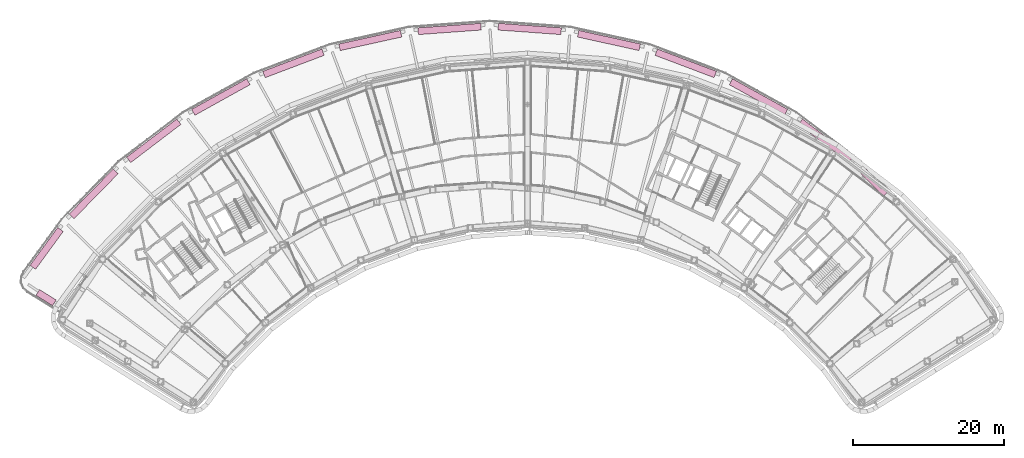
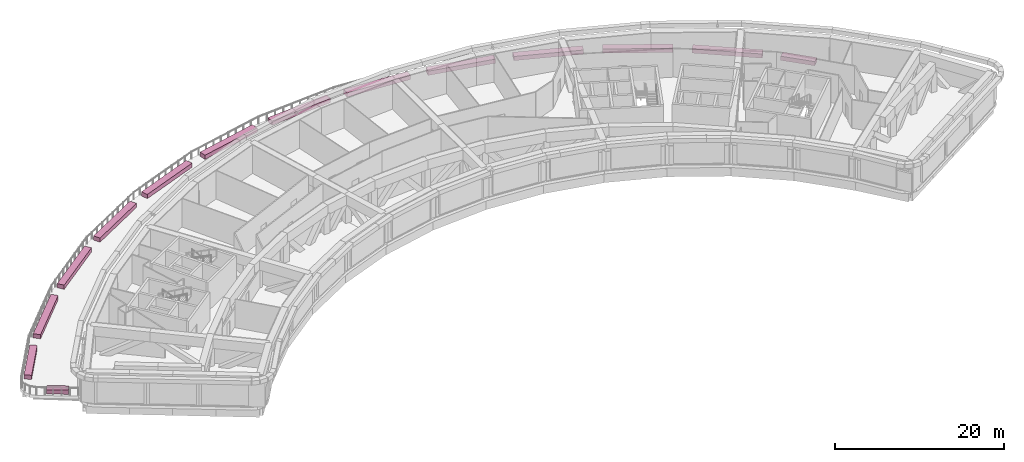
# One storey, part 24 of 24: 14 furnishings.
"""IFC4 building model written with IfcOpenShell, lengths in metres."""

from ifc_helpers import new_model, si_unit, direction, frame, origin, origin_2d, place, context, subcontext, project, spatial, rectangle, extrude, material, type_object, element, save


model = new_model("IFC4")

# Units and contexts
model_context = context("Model", 3, precision=1e-05, world=origin(), true_north=direction((0.0, 1.0)))
body_context = subcontext(model_context, "Body", "Model", "MODEL_VIEW")
ifc_project = project(units=[si_unit("LENGTHUNIT", "METRE"), si_unit("AREAUNIT", "SQUARE_METRE"), si_unit("VOLUMEUNIT", "CUBIC_METRE"), si_unit("PLANEANGLEUNIT", "RADIAN"), si_unit("MASSUNIT", "GRAM", prefix="KILO")], contexts=[model_context])

# Site, building, storey
site_placement = place(None, origin())
site = spatial("IfcSite", under=ifc_project, at=site_placement, CompositionType="ELEMENT")
building_placement = place(site_placement, origin())
building = spatial("IfcBuilding", under=site, at=building_placement, Name="Tuul Gate Civic Tower", CompositionType="ELEMENT")
storey_placement = place(building_placement, frame((0.0, 0.0, 94.800048828125)))
storey = spatial("IfcBuildingStorey", under=building, at=storey_placement, Name="Plant and refuge floor 3", CompositionType="ELEMENT", Elevation=94.800048828125)

# Furnishings
ifc_material = material(Name="Planting soil")
furnishing_element_type = type_object("IfcFurnishingElementType", Name="Planter", material=ifc_material)
furnishing_1_placement = place(storey_placement, frame((55.84716796875, -2.254150390625, 0.0), z_axis=(0.0, 0.0, 1.0), x_axis=(-0.700011034438, 0.714132026775, 0.0)))
element("IfcFurnishingElement", 1, at=furnishing_1_placement, inside=storey, type_object=furnishing_element_type, Name="Planter", context=body_context, shape_type="SweptSolid", body=[
    extrude(rectangle(XDim=4.21240234375, YDim=0.89990234375, at=origin_2d()), origin(), (0.0, 0.0, 1.0), 0.60009765625),
])
furnishing_2_placement = place(storey_placement, frame((49.33740234375, 3.291015625, 0.0), z_axis=(0.0, 0.0, 1.0), x_axis=(-0.795608692179, 0.605810868943, 0.0)))
element("IfcFurnishingElement", 2, at=furnishing_2_placement, inside=storey, type_object=furnishing_element_type, Name="Planter", context=body_context, shape_type="SweptSolid", body=[
    extrude(rectangle(XDim=8.364013671875, YDim=0.89990234375, at=origin_2d()), origin(), (0.0, 0.0, 1.0), 0.60009765625),
])
for number, where, z_axis, x_axis, name in (
    (3, (40.444580078125, 9.097900390625, 0.0), (0.0, 0.0, 1.0), (-0.874612605796, 0.484822431188, 0.0), "Planter"),
    (4, (30.8076171875, 13.562255859375, 0.0), (0.0, 0.0, 1.0), (-0.935375147422, 0.353657084737, 0.0), "Planter"),
):
    element("IfcFurnishingElement", number, at=place(storey_placement, frame(where, z_axis=z_axis, x_axis=x_axis)), inside=storey, type_object=furnishing_element_type, Name=name, context=body_context, shape_type="SweptSolid", body=[
        extrude(rectangle(XDim=8.36474609375, YDim=0.89990234375, at=origin_2d()), origin(), (0.0, 0.0, 1.0), 0.60009765625),
    ])
furnishing_3_placement = place(storey_placement, frame((20.627685546875, 16.59130859375, 0.0), z_axis=(0.0, 0.0, 1.0), x_axis=(-0.976559394881, 0.21524810863, 0.0)))
element("IfcFurnishingElement", 5, at=furnishing_3_placement, inside=storey, type_object=furnishing_element_type, Name="Planter", context=body_context, shape_type="SweptSolid", body=[
    extrude(rectangle(XDim=8.3642578125, YDim=0.89990234375, at=origin_2d()), origin(), (0.0, 0.0, 1.0), 0.60009765625),
])
for number, where, z_axis, x_axis, name in (
    (6, (10.1181640625, 18.12158203125, 0.0), (0.0, 0.0, 1.0), (-0.997391294668, 0.072184522724, 0.0), "Planter"),
    (7, (-0.502197265625, 18.12158203125, 0.0), (0.0, 0.0, 1.0), (-0.997391294668, -0.072184522724, 0.0), "Planter"),
):
    element("IfcFurnishingElement", number, at=place(storey_placement, frame(where, z_axis=z_axis, x_axis=x_axis)), inside=storey, type_object=furnishing_element_type, Name=name, context=body_context, shape_type="SweptSolid", body=[
        extrude(rectangle(XDim=8.364013671875, YDim=0.89990234375, at=origin_2d()), origin(), (0.0, 0.0, 1.0), 0.60009765625),
    ])
furnishing_4_placement = place(storey_placement, frame((-11.01171875, 16.59130859375, 0.0), z_axis=(0.0, 0.0, 1.0), x_axis=(-0.976559394881, -0.21524810863, 0.0)))
element("IfcFurnishingElement", 8, at=furnishing_4_placement, inside=storey, type_object=furnishing_element_type, Name="Planter", context=body_context, shape_type="SweptSolid", body=[
    extrude(rectangle(XDim=8.3642578125, YDim=0.89990234375, at=origin_2d()), origin(), (0.0, 0.0, 1.0), 0.60009765625),
])
furnishing_5_placement = place(storey_placement, frame((-21.191162109375, 13.562255859375, 0.0), z_axis=(0.0, 0.0, 1.0), x_axis=(-0.935363527032, -0.353687817572, 0.0)))
element("IfcFurnishingElement", 9, at=furnishing_5_placement, inside=storey, type_object=furnishing_element_type, Name="Planter", context=body_context, shape_type="SweptSolid", body=[
    extrude(rectangle(XDim=8.36376953125, YDim=0.89990234375, at=origin_2d()), origin(), (0.0, 0.0, 1.0), 0.60009765625),
])
furnishing_6_placement = place(storey_placement, frame((-30.82763671875, 9.097900390625, 0.0), z_axis=(0.0, 0.0, 1.0), x_axis=(-0.874612605796, -0.484822431188, 0.0)))
element("IfcFurnishingElement", 10, at=furnishing_6_placement, inside=storey, type_object=furnishing_element_type, Name="Planter", context=body_context, shape_type="SweptSolid", body=[
    extrude(rectangle(XDim=8.36474609375, YDim=0.89990234375, at=origin_2d()), origin(), (0.0, 0.0, 1.0), 0.60009765625),
])
furnishing_7_placement = place(storey_placement, frame((-39.720458984375, 3.291015625, 0.0), z_axis=(0.0, 0.0, 1.0), x_axis=(-0.795608692179, -0.605810868943, 0.0)))
element("IfcFurnishingElement", 11, at=furnishing_7_placement, inside=storey, type_object=furnishing_element_type, Name="Planter", context=body_context, shape_type="SweptSolid", body=[
    extrude(rectangle(XDim=8.364013671875, YDim=0.89990234375, at=origin_2d()), origin(), (0.0, 0.0, 1.0), 0.60009765625),
])
furnishing_8_placement = place(storey_placement, frame((-47.683837890625, -3.736572265625, 0.0), z_axis=(0.0, 0.0, 1.0), x_axis=(-0.70005840803, -0.71408558685, 0.0)))
element("IfcFurnishingElement", 12, at=furnishing_8_placement, inside=storey, type_object=furnishing_element_type, Name="Planter", context=body_context, shape_type="SweptSolid", body=[
    extrude(rectangle(XDim=8.36474609375, YDim=0.89990234375, at=origin_2d()), origin(), (0.0, 0.0, 1.0), 0.60009765625),
])
furnishing_9_placement = place(storey_placement, frame((-53.9169921875, -10.9697265625, 0.0), z_axis=(0.0, 0.0, 1.0), x_axis=(-0.58977205357, -0.807569764681, 0.0)))
element("IfcFurnishingElement", 13, at=furnishing_9_placement, inside=storey, type_object=furnishing_element_type, Name="Planter", context=body_context, shape_type="SweptSolid", body=[
    extrude(rectangle(XDim=6.21337890625, YDim=0.89990234375, at=origin_2d()), origin(), (0.0, 0.0, 1.0), 0.60009765625),
])
furnishing_10_placement = place(storey_placement, frame((-54.00537109375, -17.49755859375, 0.0), z_axis=(0.0, 0.0, 1.0), x_axis=(0.848052818366, -0.529911707044, 0.0)))
element("IfcFurnishingElement", 14, at=furnishing_10_placement, inside=storey, type_object=furnishing_element_type, Name="Planter", context=body_context, shape_type="SweptSolid", body=[
    extrude(rectangle(XDim=2.596923828125, YDim=0.89990234375, at=origin_2d()), origin(), (0.0, 0.0, 1.0), 0.60009765625),
])

save(model, "model.ifc")
